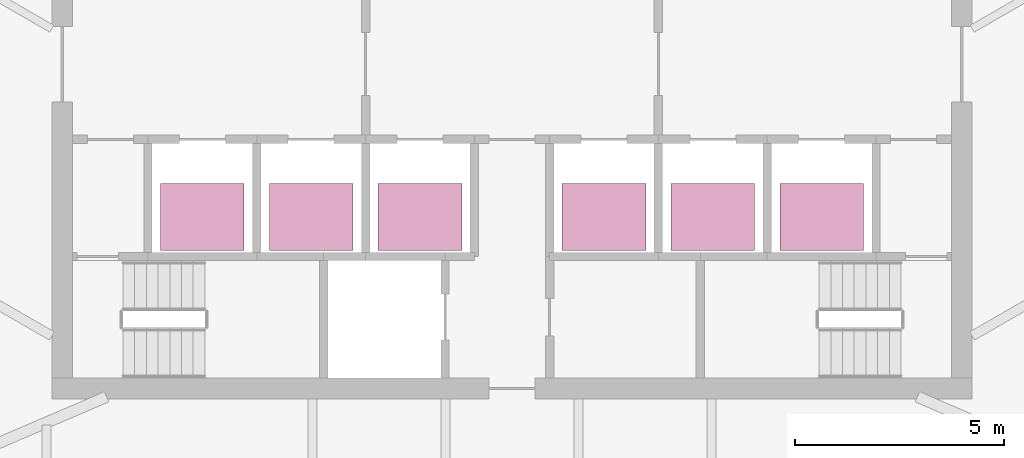
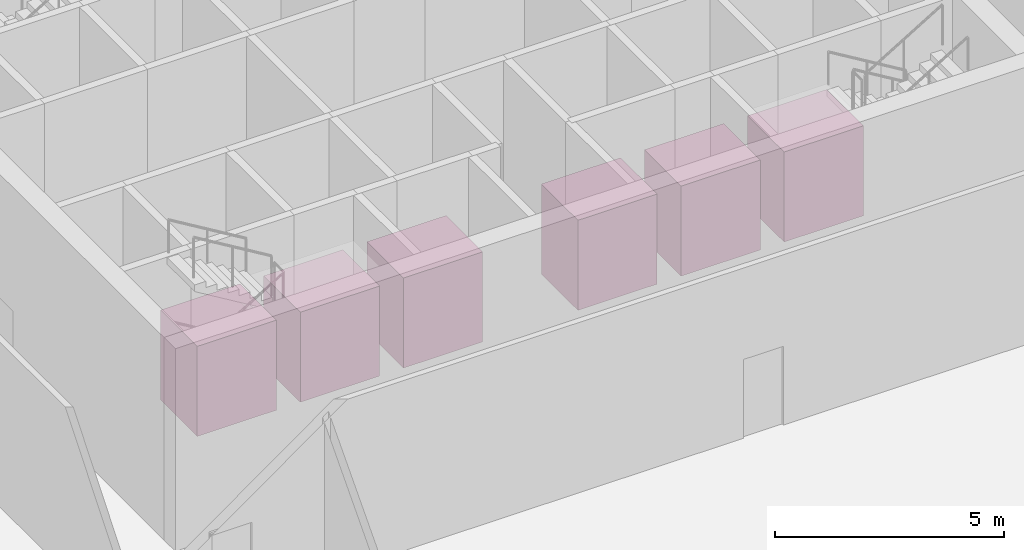
# One storey, part 16 of 16: 6 transport elements.
"""IFC4 building model written with IfcOpenShell, lengths in metres."""

from ifc_helpers import new_model, si_unit, direction, frame, origin, origin_2d, place, context, subcontext, project, spatial, rectangle, extrude, material, type_object, element, save


model = new_model("IFC4")

# Units and contexts
model_context = context("Model", 3, precision=1e-05, world=origin(), true_north=direction((0.0, 1.0)))
body_context = subcontext(model_context, "Body", "Model", "MODEL_VIEW")
ifc_project = project(units=[si_unit("LENGTHUNIT", "METRE"), si_unit("AREAUNIT", "SQUARE_METRE"), si_unit("VOLUMEUNIT", "CUBIC_METRE"), si_unit("PLANEANGLEUNIT", "RADIAN"), si_unit("MASSUNIT", "GRAM", prefix="KILO")], contexts=[model_context])

# Site, building, storey
site_placement = place(None, origin())
site = spatial("IfcSite", under=ifc_project, at=site_placement, CompositionType="ELEMENT")
building_placement = place(site_placement, origin())
building = spatial("IfcBuilding", under=site, at=building_placement, Name="Sierra Prisma Convention Tower", CompositionType="ELEMENT")
storey_placement = place(building_placement, frame((0.0, 0.0, 107.199951171875)))
storey = spatial("IfcBuildingStorey", under=building, at=storey_placement, Name="L23", CompositionType="ELEMENT", Elevation=107.199951171875)

# Transport elements
ifc_material = material(Name="Stainless steel", Category="steel")
transport_element_type = type_object("IfcTransportElementType", Name="Lift car hotel 2000x1600 1600 kg", PredefinedType="ELEVATOR", material=ifc_material)
for number, where, z_axis, x_axis, name in (
    (1, (-7.39990234375, -3.64990234375, 0.0), (0.0, 0.0, 1.0), (1.0, 0.0, 0.0), "Lift HT1"),
    (2, (-4.800048828125, -3.64990234375, 0.0), (0.0, 0.0, 1.0), (1.0, 0.0, 0.0), "Lift HT2"),
    (3, (-2.199951171875, -3.64990234375, 0.0), (0.0, 0.0, 1.0), (1.0, 0.0, 0.0), "Lift HT3"),
    (4, (2.199951171875, -3.64990234375, 0.0), (0.0, 0.0, 1.0), (1.0, 0.0, 0.0), "Lift HT4"),
    (5, (4.800048828125, -3.64990234375, 0.0), (0.0, 0.0, 1.0), (1.0, 0.0, 0.0), "Lift HT5"),
    (6, (7.39990234375, -3.64990234375, 0.0), (0.0, 0.0, 1.0), (1.0, 0.0, 0.0), "Lift HT6"),
):
    element("IfcTransportElement", number, at=place(storey_placement, frame(where, z_axis=z_axis, x_axis=x_axis)), inside=storey, type_object=transport_element_type, Name=name, PredefinedType="ELEVATOR", context=body_context, shape_type="SweptSolid", body=[
        extrude(rectangle(XDim=2.0, YDim=1.60009765625, at=origin_2d()), origin(), (0.0, 0.0, 1.0), 2.39990234375),
    ])

save(model, "model.ifc")
